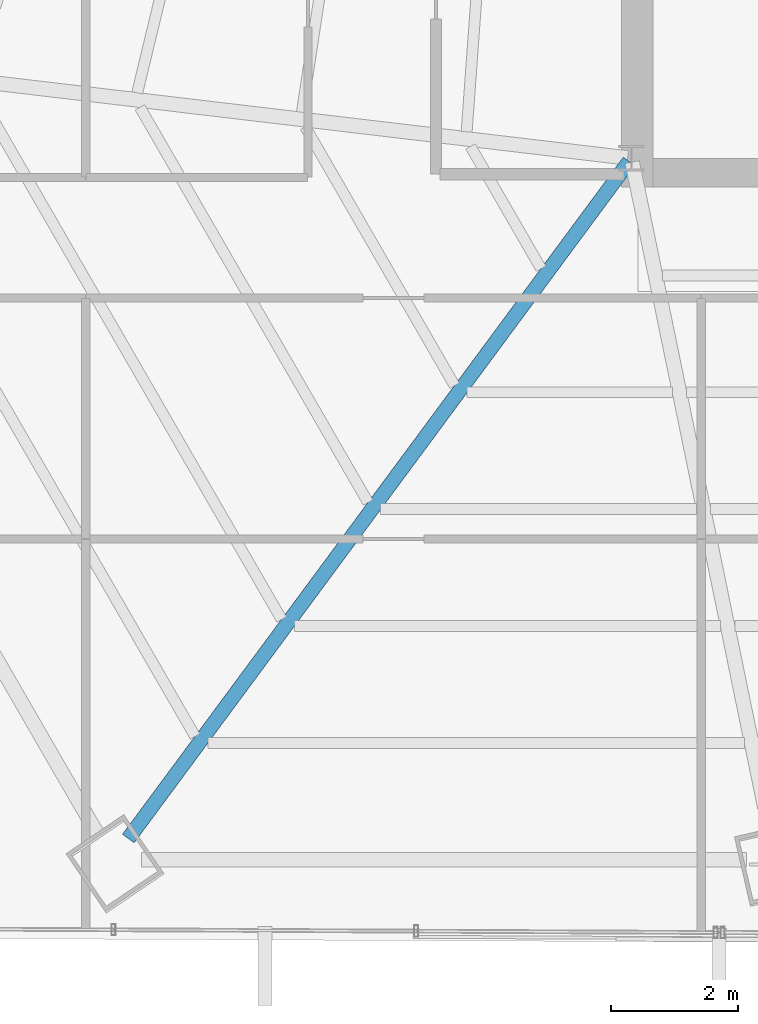
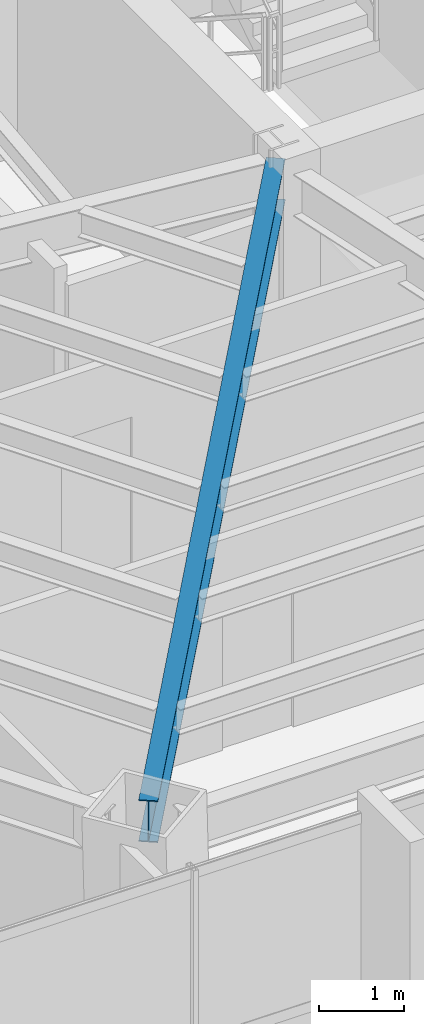
# One storey, part 5 of 37: 1 beam.
"""IFC4 building model written with IfcOpenShell, lengths in metres."""

from ifc_helpers import new_model, si_unit, direction, frame, origin, origin_2d, place, context, subcontext, project, spatial, i_section, extrude, source, transform, mapped, material, material_profile, profile_set, type_object, type_shapes, element, save


model = new_model("IFC4")

# Units and contexts
model_context = context("Model", 3, precision=1e-05, world=origin(), true_north=direction((0.0, 1.0)))
body_context = subcontext(model_context, "Body", "Model", "MODEL_VIEW")
ifc_project = project(units=[si_unit("LENGTHUNIT", "METRE"), si_unit("AREAUNIT", "SQUARE_METRE"), si_unit("VOLUMEUNIT", "CUBIC_METRE"), si_unit("PLANEANGLEUNIT", "RADIAN"), si_unit("MASSUNIT", "GRAM", prefix="KILO")], contexts=[model_context])

# Site, building, storey
site_placement = place(None, origin())
site = spatial("IfcSite", under=ifc_project, at=site_placement, CompositionType="ELEMENT")
building_placement = place(site_placement, origin())
building = spatial("IfcBuilding", under=site, at=building_placement, Name="Caelisora Broadcast Tower", CompositionType="ELEMENT")
storey_placement = place(building_placement, frame((0.0, 0.0, 101.75)))
storey = spatial("IfcBuildingStorey", under=building, at=storey_placement, Name="L26", CompositionType="ELEMENT", Elevation=101.75)

# Beam
ifc_material = material(Name="Steel Grade 350 (AS/NZS 3679.1)", Category="steel")
ifc_material_profile = material_profile(ifc_material, i_section(OverallWidth=0.22802734375, OverallDepth=0.602294921875, WebThickness=0.010498046875, FlangeThickness=0.014892578125, at=origin_2d()), Name="Steel Grade 350 (AS/NZS 3679.1)")
ifc_profile_set = profile_set([ifc_material_profile], Name="Steel Grade 350 (AS/NZS 3679.1)")
beam_type = type_object("IfcBeamType", Name="PG04", PredefinedType="BEAM", material=ifc_profile_set)
shared_shape = source(origin(), body_context, "Body", "SweptSolid", [
    extrude(i_section(OverallWidth=0.22802734375, OverallDepth=0.602294921875, WebThickness=0.010498046875, FlangeThickness=0.014892578125, at=origin_2d()), origin(), (0.0, 0.0, 1.0), 13.275634765625),
])
type_shapes(beam_type, [shared_shape])
beam_placement = place(storey_placement, frame((30.46435546875, 17.351806640625, 3.098876953125), z_axis=(-0.594681622294, -0.803961297642, 0.0), x_axis=(0.803961297642, -0.594681622294, 0.0)))
element("IfcBeam", 1, at=beam_placement, inside=storey, type_object=beam_type, Name="L26 beam PG04", PredefinedType="BEAM", context=body_context, shape_type="MappedRepresentation", body=[
    mapped(shared_shape, transform((0.0, 0.0, 0.0), scale=1.0)),
])

save(model, "model.ifc")
